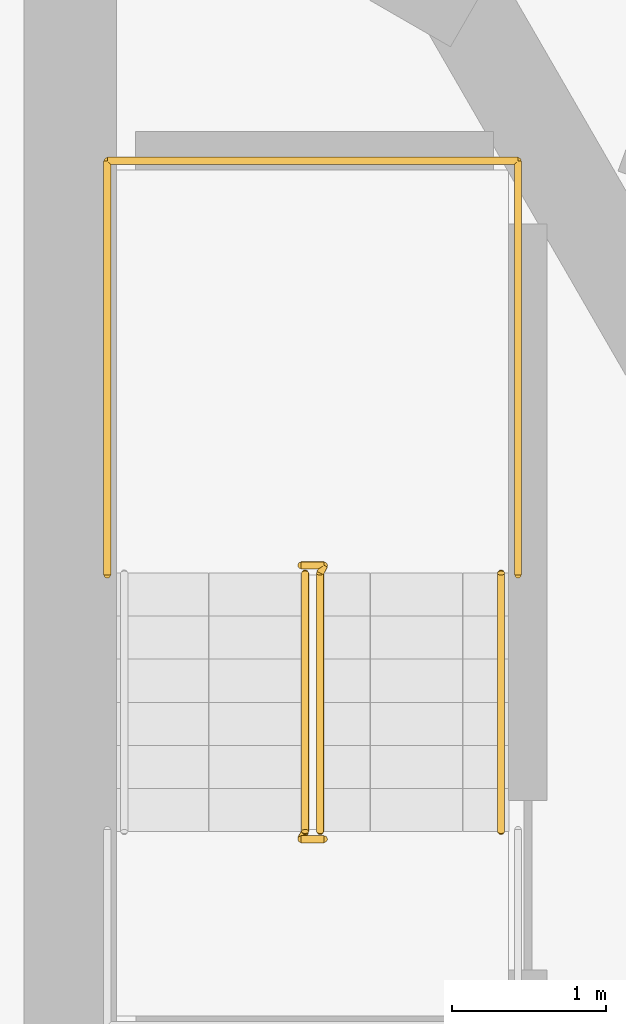
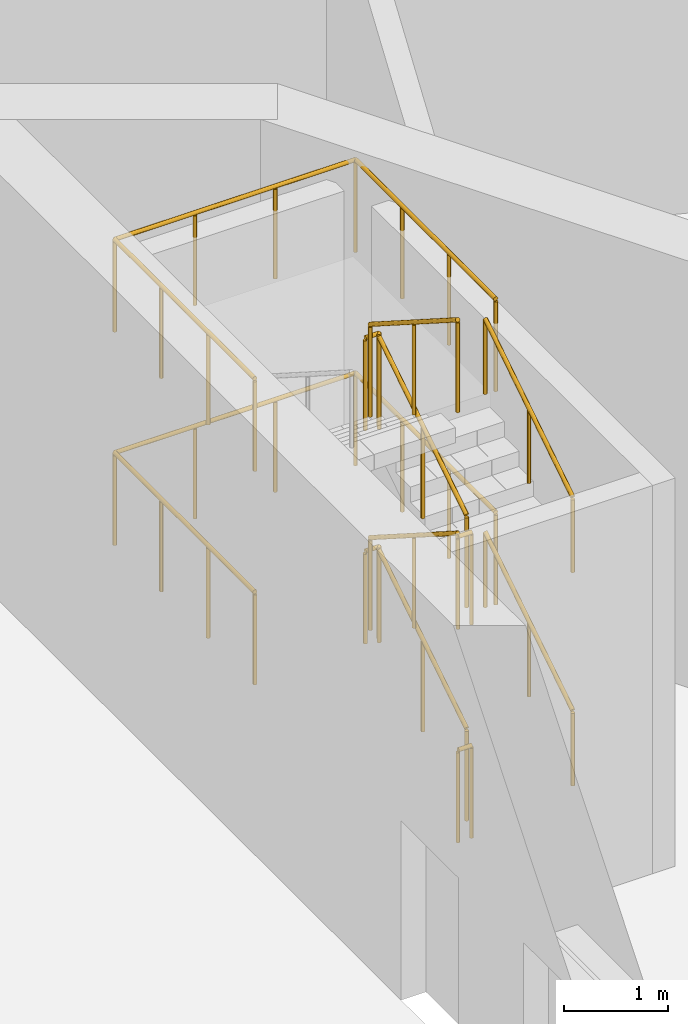
# One storey, part 12 of 12: 9 railings.
"""IFC4 building model written with IfcOpenShell, lengths in metres."""

from ifc_helpers import new_model, si_unit, direction, frame, origin, origin_2d, place, context, subcontext, project, spatial, circle, extrude, material, type_object, element, save


model = new_model("IFC4")

# Units and contexts
model_context = context("Model", 3, precision=1e-05, world=origin(), true_north=direction((0.0, 1.0)))
body_context = subcontext(model_context, "Body", "Model", "MODEL_VIEW")
ifc_project = project(units=[si_unit("LENGTHUNIT", "METRE"), si_unit("AREAUNIT", "SQUARE_METRE"), si_unit("VOLUMEUNIT", "CUBIC_METRE"), si_unit("PLANEANGLEUNIT", "RADIAN"), si_unit("MASSUNIT", "GRAM", prefix="KILO")], contexts=[model_context])

# Site, building, storey
site_placement = place(None, origin())
site = spatial("IfcSite", under=ifc_project, at=site_placement, CompositionType="ELEMENT")
building_placement = place(site_placement, origin())
building = spatial("IfcBuilding", under=site, at=building_placement, Name="Cantera Rosa Tower", CompositionType="ELEMENT")
storey_placement = place(building_placement, frame((0.0, 0.0, 345.699951171875)))
storey = spatial("IfcBuildingStorey", under=building, at=storey_placement, Name="L78", CompositionType="ELEMENT", Elevation=345.699951171875)

# Railings
ifc_material_1 = material(Name="Steel S355J2 (EN 10025-2)", Category="steel")
railing_type_1 = type_object("IfcRailingType", Name="STAIR GUARD 1100", PredefinedType="GUARDRAIL", material=ifc_material_1)
railing_1_placement = place(storey_placement, frame((5.924072265625, 1.449951171875, 0.1787109375)))
element("IfcRailing", 1, at=railing_1_placement, inside=storey, type_object=railing_type_1, Name="L78 ST-72 stair guard 1", PredefinedType="GUARDRAIL", context=body_context, shape_type="SweptSolid", body=[
    extrude(circle(Radius=0.02392578125, at=origin_2d()), frame((0.0, 0.0, 1.076171875), z_axis=(0.0, 0.843151513386, 0.53767604138), x_axis=(-1.0, 0.0, 0.0)), (0.0, 0.0, 1.0), 1.992431640625),
    extrude(circle(Radius=0.02392578125, at=origin_2d()), frame((0.0, 1.679931640625, 2.1474609375), z_axis=(0.459305035911, 0.888278607187, 0.0), x_axis=(-0.888278607187, 0.459305035911, 0.0)), (0.0, 0.0, 1.0), 0.056396484375),
    extrude(circle(Radius=0.02392578125, at=origin_2d()), frame((0.02587890625, 1.72998046875, 2.1474609375), z_axis=(-1.0, 0.0, 0.0), x_axis=(0.0, -1.0, 0.0)), (0.0, 0.0, 1.0), 0.14990234375),
    extrude(circle(Radius=0.02099609375, at=origin_2d()), origin(), (0.0, 0.0, 1.0), 1.052001953125),
    extrude(circle(Radius=0.02099609375, at=origin_2d()), frame((0.0, 0.83984375, 0.53564453125)), (0.0, 0.0, 1.0), 1.052001953125),
    extrude(circle(Radius=0.02099609375, at=origin_2d()), frame((0.0, 1.679931640625, 1.0712890625)), (0.0, 0.0, 1.0), 1.052001953125),
    extrude(circle(Radius=0.02099609375, at=origin_2d()), frame((0.02587890625, 1.72998046875, 1.0712890625)), (0.0, 0.0, 1.0), 1.052001953125),
    extrude(circle(Radius=0.02099609375, at=origin_2d()), frame((-0.1240234375, 1.72998046875, 1.0712890625)), (0.0, 0.0, 1.0), 1.052001953125),
])
railing_2_placement = place(storey_placement, frame((5.825927734375, 3.1298828125, 1.4287109375)))
element("IfcRailing", 2, at=railing_2_placement, inside=storey, type_object=railing_type_1, Name="L78 ST-72 stair guard 2", PredefinedType="GUARDRAIL", context=body_context, shape_type="SweptSolid", body=[
    extrude(circle(Radius=0.02392578125, at=origin_2d()), frame((0.0, 0.0, 1.076171875), z_axis=(0.0, -0.843151513386, 0.53767604138), x_axis=(1.0, 0.0, 0.0)), (0.0, 0.0, 1.0), 1.992431640625),
    extrude(circle(Radius=0.02392578125, at=origin_2d()), frame((0.0, -1.679931640625, 2.1474609375), z_axis=(-0.459305035911, -0.888278607187, 0.0), x_axis=(0.888278607187, -0.459305035911, 0.0)), (0.0, 0.0, 1.0), 0.056396484375),
    extrude(circle(Radius=0.02392578125, at=origin_2d()), frame((-0.02587890625, -1.72998046875, 2.1474609375), z_axis=(1.0, 0.0, 0.0), x_axis=(0.0, 1.0, 0.0)), (0.0, 0.0, 1.0), 0.14990234375),
    extrude(circle(Radius=0.02099609375, at=origin_2d()), origin(), (0.0, 0.0, 1.0), 1.052001953125),
    extrude(circle(Radius=0.02099609375, at=origin_2d()), frame((0.0, -0.83984375, 0.53564453125)), (0.0, 0.0, 1.0), 1.052001953125),
    extrude(circle(Radius=0.02099609375, at=origin_2d()), frame((0.0, -1.679931640625, 1.0712890625)), (0.0, 0.0, 1.0), 1.052001953125),
    extrude(circle(Radius=0.02099609375, at=origin_2d()), frame((-0.02587890625, -1.72998046875, 1.0712890625)), (0.0, 0.0, 1.0), 1.052001953125),
    extrude(circle(Radius=0.02099609375, at=origin_2d()), frame((0.1240234375, -1.72998046875, 1.0712890625)), (0.0, 0.0, 1.0), 1.052001953125),
])
railing_3_placement = place(storey_placement, frame((5.924072265625, 1.449951171875, 2.6787109375)))
element("IfcRailing", 3, at=railing_3_placement, inside=storey, type_object=railing_type_1, Name="L78 ST-72 stair guard 3", PredefinedType="GUARDRAIL", context=body_context, shape_type="SweptSolid", body=[
    extrude(circle(Radius=0.02392578125, at=origin_2d()), frame((0.0, 0.0, 1.076171875), z_axis=(0.0, 0.843151513386, 0.53767604138), x_axis=(-1.0, 0.0, 0.0)), (0.0, 0.0, 1.0), 1.992431640625),
    extrude(circle(Radius=0.02392578125, at=origin_2d()), frame((0.0, 1.679931640625, 2.1474609375), z_axis=(0.459305035911, 0.888278607187, 0.0), x_axis=(-0.888278607187, 0.459305035911, 0.0)), (0.0, 0.0, 1.0), 0.056396484375),
    extrude(circle(Radius=0.02392578125, at=origin_2d()), frame((0.02587890625, 1.72998046875, 2.1474609375), z_axis=(-1.0, 0.0, 0.0), x_axis=(0.0, -1.0, 0.0)), (0.0, 0.0, 1.0), 0.14990234375),
    extrude(circle(Radius=0.02099609375, at=origin_2d()), origin(), (0.0, 0.0, 1.0), 1.052001953125),
    extrude(circle(Radius=0.02099609375, at=origin_2d()), frame((0.0, 0.83984375, 0.53564453125)), (0.0, 0.0, 1.0), 1.052001953125),
    extrude(circle(Radius=0.02099609375, at=origin_2d()), frame((0.0, 1.679931640625, 1.0712890625)), (0.0, 0.0, 1.0), 1.052001953125),
    extrude(circle(Radius=0.02099609375, at=origin_2d()), frame((0.02587890625, 1.72998046875, 1.0712890625)), (0.0, 0.0, 1.0), 1.052001953125),
    extrude(circle(Radius=0.02099609375, at=origin_2d()), frame((-0.1240234375, 1.72998046875, 1.0712890625)), (0.0, 0.0, 1.0), 1.052001953125),
])
railing_4_placement = place(storey_placement, frame((5.825927734375, 3.1298828125, 3.9287109375)))
element("IfcRailing", 4, at=railing_4_placement, inside=storey, type_object=railing_type_1, Name="L78 ST-72 stair guard 4", PredefinedType="GUARDRAIL", context=body_context, shape_type="SweptSolid", body=[
    extrude(circle(Radius=0.02392578125, at=origin_2d()), frame((0.0, 0.0, 1.076171875), z_axis=(0.0, -0.843151513386, 0.53767604138), x_axis=(1.0, 0.0, 0.0)), (0.0, 0.0, 1.0), 1.992431640625),
    extrude(circle(Radius=0.02099609375, at=origin_2d()), origin(), (0.0, 0.0, 1.0), 1.052001953125),
    extrude(circle(Radius=0.02099609375, at=origin_2d()), frame((0.0, -0.83984375, 0.53564453125)), (0.0, 0.0, 1.0), 1.052001953125),
    extrude(circle(Radius=0.02099609375, at=origin_2d()), frame((0.0, -1.679931640625, 1.0712890625)), (0.0, 0.0, 1.0), 1.052001953125),
])
railing_5_placement = place(storey_placement, frame((5.949951171875, 1.39990234375, 0.0)))
element("IfcRailing", 5, at=railing_5_placement, inside=storey, type_object=railing_type_1, Name="L78 ST-72 stair guard 5", PredefinedType="GUARDRAIL", context=body_context, shape_type="SweptSolid", body=[
    extrude(circle(Radius=0.02392578125, at=origin_2d()), frame((0.0, 0.0, 1.076171875), z_axis=(-1.0, 0.0, 0.0), x_axis=(0.0, -1.0, 0.0)), (0.0, 0.0, 1.0), 0.14990234375),
    extrude(circle(Radius=0.02099609375, at=origin_2d()), origin(), (0.0, 0.0, 1.0), 1.052001953125),
    extrude(circle(Radius=0.02099609375, at=origin_2d()), frame((-0.14990234375, 0.0, 0.0)), (0.0, 0.0, 1.0), 1.052001953125),
])
railing_6_placement = place(storey_placement, frame((7.2099609375, 3.117919921875, 1.25)))
element("IfcRailing", 6, at=railing_6_placement, inside=storey, type_object=railing_type_1, Name="L78 ST-72 stair guard 6", PredefinedType="GUARDRAIL", context=body_context, shape_type="SweptSolid", body=[
    extrude(circle(Radius=0.02392578125, at=origin_2d()), frame((0.0, 0.0, 1.076171875), z_axis=(0.0, 1.0, 0.0), x_axis=(-1.0, 0.0, 0.0)), (0.0, 0.0, 1.0), 2.692138671875),
    extrude(circle(Radius=0.02392578125, at=origin_2d()), frame((0.0, 2.692138671875, 1.076171875), z_axis=(-1.0, 0.0, 0.0), x_axis=(0.0, -1.0, 0.0)), (0.0, 0.0, 1.0), 2.669921875),
    extrude(circle(Radius=0.02392578125, at=origin_2d()), frame((-2.669921875, 2.692138671875, 1.076171875), z_axis=(0.0, -1.0, 0.0), x_axis=(1.0, 0.0, 0.0)), (0.0, 0.0, 1.0), 2.692138671875),
    extrude(circle(Radius=0.02099609375, at=origin_2d()), origin(), (0.0, 0.0, 1.0), 1.052001953125),
    extrude(circle(Radius=0.02099609375, at=origin_2d()), frame((0.0, 0.8974609375, 0.0)), (0.0, 0.0, 1.0), 1.052001953125),
    extrude(circle(Radius=0.02099609375, at=origin_2d()), frame((0.0, 1.794677734375, 0.0)), (0.0, 0.0, 1.0), 1.052001953125),
    extrude(circle(Radius=0.02099609375, at=origin_2d()), frame((0.0, 2.692138671875, 0.0)), (0.0, 0.0, 1.0), 1.052001953125),
    extrude(circle(Radius=0.02099609375, at=origin_2d()), frame((-0.889892578125, 2.692138671875, 0.0)), (0.0, 0.0, 1.0), 1.052001953125),
    extrude(circle(Radius=0.02099609375, at=origin_2d()), frame((-1.780029296875, 2.692138671875, 0.0)), (0.0, 0.0, 1.0), 1.052001953125),
    extrude(circle(Radius=0.02099609375, at=origin_2d()), frame((-2.669921875, 2.692138671875, 0.0)), (0.0, 0.0, 1.0), 1.052001953125),
    extrude(circle(Radius=0.02099609375, at=origin_2d()), frame((-2.669921875, 1.794677734375, 0.0)), (0.0, 0.0, 1.0), 1.052001953125),
    extrude(circle(Radius=0.02099609375, at=origin_2d()), frame((-2.669921875, 0.8974609375, 0.0)), (0.0, 0.0, 1.0), 1.052001953125),
    extrude(circle(Radius=0.02099609375, at=origin_2d()), frame((-2.669921875, 0.0, 0.0)), (0.0, 0.0, 1.0), 1.052001953125),
])
railing_7_placement = place(storey_placement, frame((7.2099609375, 3.117919921875, 3.75)))
element("IfcRailing", 7, at=railing_7_placement, inside=storey, type_object=railing_type_1, Name="L78 ST-72 stair guard 8", PredefinedType="GUARDRAIL", context=body_context, shape_type="SweptSolid", body=[
    extrude(circle(Radius=0.02392578125, at=origin_2d()), frame((0.0, 0.0, 1.076171875), z_axis=(0.0, 1.0, 0.0), x_axis=(-1.0, 0.0, 0.0)), (0.0, 0.0, 1.0), 2.692138671875),
    extrude(circle(Radius=0.02392578125, at=origin_2d()), frame((0.0, 2.692138671875, 1.076171875), z_axis=(-1.0, 0.0, 0.0), x_axis=(0.0, -1.0, 0.0)), (0.0, 0.0, 1.0), 2.669921875),
    extrude(circle(Radius=0.02392578125, at=origin_2d()), frame((-2.669921875, 2.692138671875, 1.076171875), z_axis=(0.0, -1.0, 0.0), x_axis=(1.0, 0.0, 0.0)), (0.0, 0.0, 1.0), 2.692138671875),
    extrude(circle(Radius=0.02099609375, at=origin_2d()), origin(), (0.0, 0.0, 1.0), 1.052001953125),
    extrude(circle(Radius=0.02099609375, at=origin_2d()), frame((0.0, 0.8974609375, 0.0)), (0.0, 0.0, 1.0), 1.052001953125),
    extrude(circle(Radius=0.02099609375, at=origin_2d()), frame((0.0, 1.794677734375, 0.0)), (0.0, 0.0, 1.0), 1.052001953125),
    extrude(circle(Radius=0.02099609375, at=origin_2d()), frame((0.0, 2.692138671875, 0.0)), (0.0, 0.0, 1.0), 1.052001953125),
    extrude(circle(Radius=0.02099609375, at=origin_2d()), frame((-0.889892578125, 2.692138671875, 0.0)), (0.0, 0.0, 1.0), 1.052001953125),
    extrude(circle(Radius=0.02099609375, at=origin_2d()), frame((-1.780029296875, 2.692138671875, 0.0)), (0.0, 0.0, 1.0), 1.052001953125),
    extrude(circle(Radius=0.02099609375, at=origin_2d()), frame((-2.669921875, 2.692138671875, 0.0)), (0.0, 0.0, 1.0), 1.052001953125),
    extrude(circle(Radius=0.02099609375, at=origin_2d()), frame((-2.669921875, 1.794677734375, 0.0)), (0.0, 0.0, 1.0), 1.052001953125),
    extrude(circle(Radius=0.02099609375, at=origin_2d()), frame((-2.669921875, 0.8974609375, 0.0)), (0.0, 0.0, 1.0), 1.052001953125),
    extrude(circle(Radius=0.02099609375, at=origin_2d()), frame((-2.669921875, 0.0, 0.0)), (0.0, 0.0, 1.0), 1.052001953125),
])
ifc_material_2 = material(Name="Steel S355J2 (EN 10025-2)", Category="steel")
railing_type_2 = type_object("IfcRailingType", Name="STAIR HANDRAIL 900", PredefinedType="HANDRAIL", material=ifc_material_2)
for number, where, name in (
    (8, (7.10009765625, 1.449951171875, 0.1787109375), "L78 ST-72 stair handrail 1"),
    (9, (7.10009765625, 1.449951171875, 2.6787109375), "L78 ST-72 stair handrail 3"),
):
    element("IfcRailing", number, at=place(storey_placement, frame(where)), inside=storey, type_object=railing_type_2, Name=name, PredefinedType="HANDRAIL", context=body_context, shape_type="SweptSolid", body=[
        extrude(circle(Radius=0.02392578125, at=origin_2d()), frame((0.0, 0.0, 0.8759765625), z_axis=(0.0, 0.843151513386, 0.53767604138), x_axis=(-1.0, 0.0, 0.0)), (0.0, 0.0, 1.0), 1.992431640625),
        extrude(circle(Radius=0.02099609375, at=origin_2d()), origin(), (0.0, 0.0, 1.0), 0.851806640625),
        extrude(circle(Radius=0.02099609375, at=origin_2d()), frame((0.0, 0.83984375, 0.53564453125)), (0.0, 0.0, 1.0), 0.851806640625),
        extrude(circle(Radius=0.02099609375, at=origin_2d()), frame((0.0, 1.679931640625, 1.0712890625)), (0.0, 0.0, 1.0), 0.851806640625),
    ])

save(model, "model.ifc")
